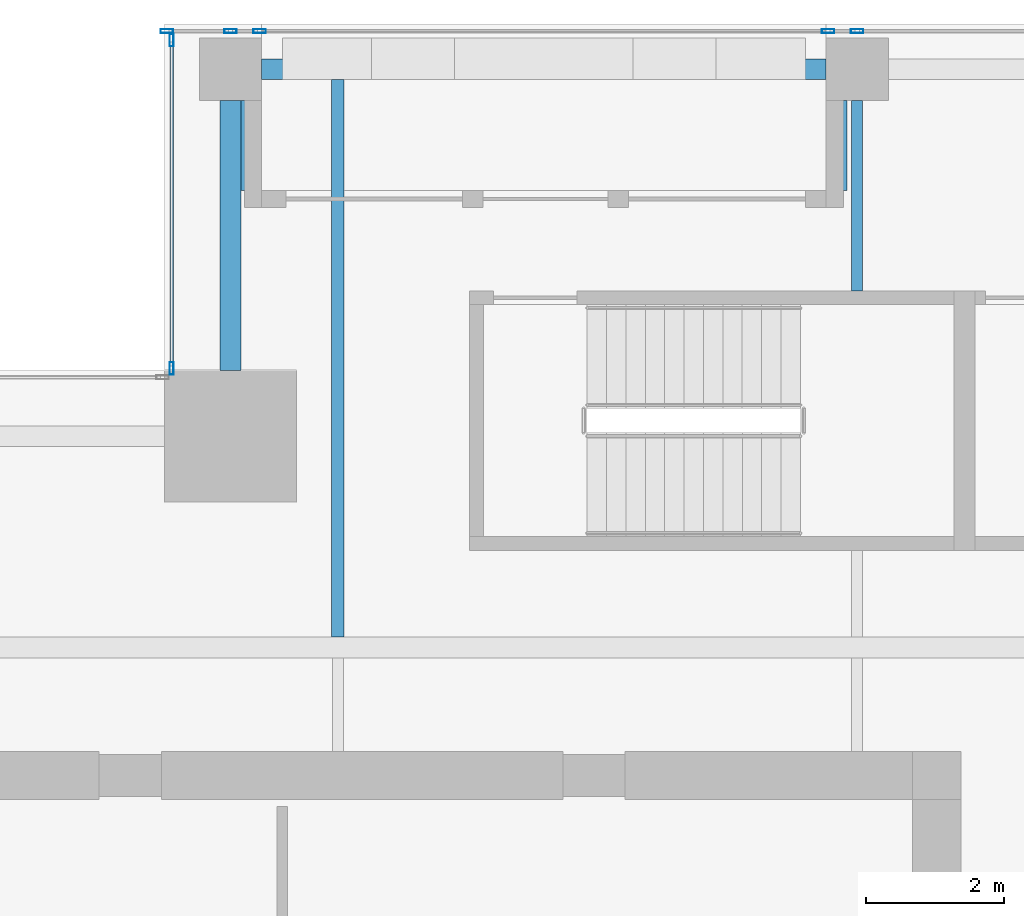
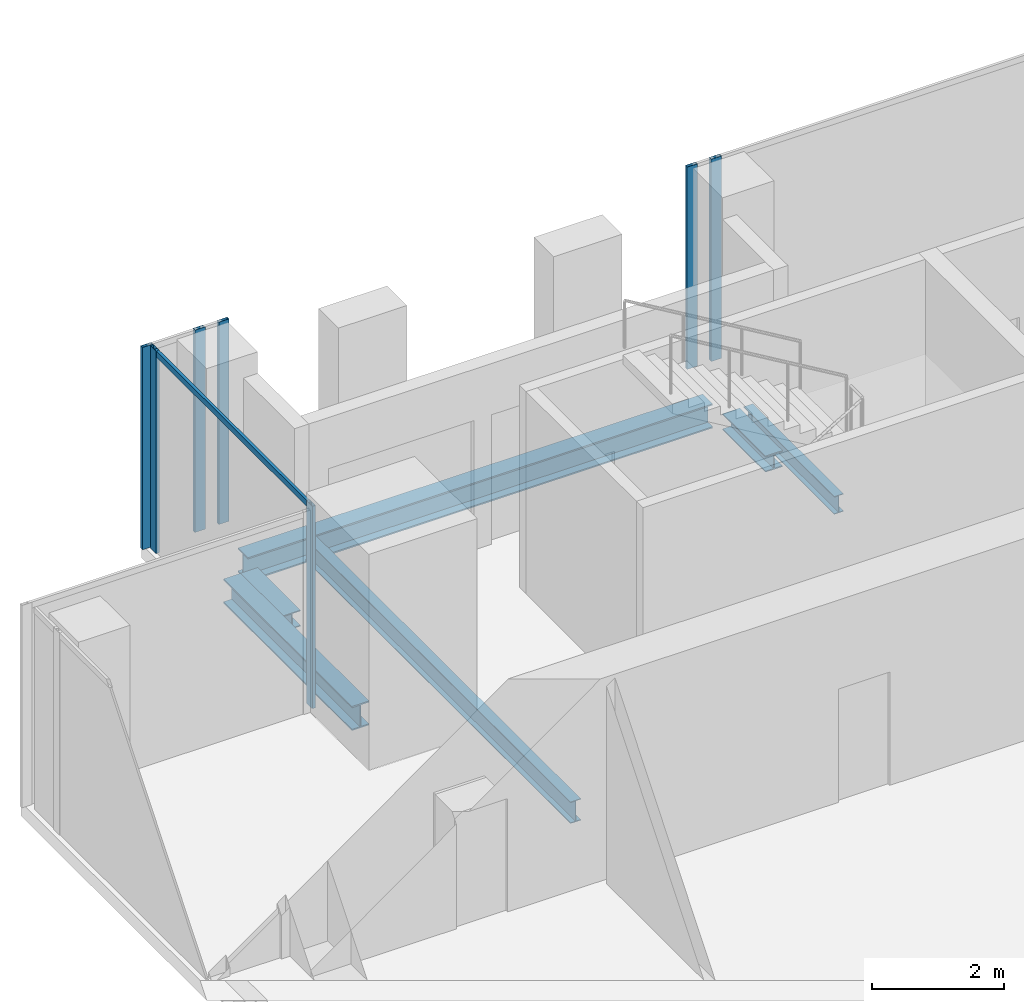
# One storey, part 18 of 35: 8 members, 6 beams, 3 elements without a shape of their own.
"""IFC4 building model written with IfcOpenShell, lengths in metres."""

from ifc_helpers import new_model, si_unit, direction, frame, origin, origin_2d, place, context, subcontext, project, spatial, hollow_rectangle, i_section, extrude, source, transform, mapped, material, material_profile, profile_set, type_object, element, aggregate, save


model = new_model("IFC4")

# Units and contexts
model_context = context("Model", 3, precision=1e-05, world=origin(), true_north=direction((0.0, 1.0)))
body_context = subcontext(model_context, "Body", "Model", "MODEL_VIEW")
ifc_project = project(units=[si_unit("LENGTHUNIT", "METRE"), si_unit("AREAUNIT", "SQUARE_METRE"), si_unit("VOLUMEUNIT", "CUBIC_METRE"), si_unit("PLANEANGLEUNIT", "RADIAN"), si_unit("MASSUNIT", "GRAM", prefix="KILO")], contexts=[model_context])

# Site, building, storey
site_placement = place(None, origin())
site = spatial("IfcSite", under=ifc_project, at=site_placement, CompositionType="ELEMENT")
building_placement = place(site_placement, origin())
building = spatial("IfcBuilding", under=site, at=building_placement, Name="Khomas Fold Tower", CompositionType="ELEMENT")
storey_placement = place(building_placement, frame((0.0, 0.0, 262.199951171875)))
storey = spatial("IfcBuildingStorey", under=building, at=storey_placement, Name="L59", CompositionType="ELEMENT", Elevation=262.199951171875)

# Beams
ifc_material_1 = material(Name="Steel S355", Category="steel")
ifc_material_profile_1 = material_profile(ifc_material_1, i_section(OverallWidth=0.159912109375, OverallDepth=0.330078125, WebThickness=0.007568359375, FlangeThickness=0.011474609375, at=origin_2d()), Name="IPE 330")
ifc_profile_set_1 = profile_set([ifc_material_profile_1], Name="Steel S355")
beam_type_1 = type_object("IfcBeamType", Name="IPE 330 beam JB1", PredefinedType="BEAM", material=ifc_profile_set_1)
shared_shape_1 = source(origin(), body_context, "Body", "SweptSolid", [
    extrude(i_section(OverallWidth=0.159912109375, OverallDepth=0.330078125, WebThickness=0.007568359375, FlangeThickness=0.011474609375, at=origin_2d()), origin(), (0.0, 0.0, 1.0), 2.75),
])
beam_1_placement = place(storey_placement, frame((19.5, 45.64990234375, -0.4150390625), z_axis=(0.0, 1.0, 0.0), x_axis=(-1.0, 0.0, 0.0)))
element("IfcBeam", 1, at=beam_1_placement, inside=storey, type_object=beam_type_1, Name="JB1", PredefinedType="BEAM", context=body_context, shape_type="MappedRepresentation", body=[
    mapped(shared_shape_1, transform((0.0, 0.0, 0.0))),
])
ifc_material_2 = material(Name="Steel S355", Category="steel")
ifc_material_profile_2 = material_profile(ifc_material_2, i_section(OverallWidth=0.300048828125, OverallDepth=0.449951171875, WebThickness=0.013916015625, FlangeThickness=0.02587890625, at=origin_2d()), Name="HE 450 B")
ifc_profile_set_2 = profile_set([ifc_material_profile_2], Name="Steel S355")
beam_type_2 = type_object("IfcBeamType", Name="HE 450 B spandrel SB4", PredefinedType="SPANDREL", material=ifc_profile_set_2)
shared_shape_2 = source(origin(), body_context, "Body", "SweptSolid", [
    extrude(i_section(OverallWidth=0.300048828125, OverallDepth=0.449951171875, WebThickness=0.013916015625, FlangeThickness=0.02587890625, at=origin_2d()), origin(), (0.0, 0.0, 1.0), 8.150146484375),
])
beam_2_placement = place(storey_placement, frame((10.89990234375, 48.85009765625, -0.474853515625), z_axis=(1.0, 0.0, 0.0), x_axis=(0.0, 1.0, 0.0)))
element("IfcBeam", 2, at=beam_2_placement, inside=storey, type_object=beam_type_2, Name="SB4", PredefinedType="SPANDREL", context=body_context, shape_type="MappedRepresentation", body=[
    mapped(shared_shape_2, transform((0.0, 0.0, 0.0))),
])
shared_shape_3 = source(origin(), body_context, "Body", "SweptSolid", [
    extrude(i_section(OverallWidth=0.300048828125, OverallDepth=0.449951171875, WebThickness=0.013916015625, FlangeThickness=0.02587890625, at=origin_2d()), origin(), (0.0, 0.0, 1.0), 3.89990234375),
])
beam_3_placement = place(storey_placement, frame((10.449951171875, 44.5, -0.474853515625), z_axis=(0.0, 1.0, 0.0), x_axis=(-1.0, 0.0, 0.0)))
element("IfcBeam", 3, at=beam_3_placement, inside=storey, type_object=beam_type_2, Name="SB4", PredefinedType="SPANDREL", context=body_context, shape_type="MappedRepresentation", body=[
    mapped(shared_shape_3, transform((0.0, 0.0, 0.0))),
])
ifc_material_3 = material(Name="Steel S355", Category="steel")
ifc_material_profile_3 = material_profile(ifc_material_3, i_section(OverallWidth=0.179931640625, OverallDepth=0.39990234375, WebThickness=0.008544921875, FlangeThickness=0.013427734375, at=origin_2d()), Name="IPE 400")
ifc_profile_set_3 = profile_set([ifc_material_profile_3], Name="Steel S355")
beam_type_3 = type_object("IfcBeamType", Name="IPE 400 beam JB3", PredefinedType="BEAM", material=ifc_profile_set_3)
shared_shape_4 = source(origin(), body_context, "Body", "SweptSolid", [
    extrude(i_section(OverallWidth=0.179931640625, OverallDepth=0.39990234375, WebThickness=0.008544921875, FlangeThickness=0.013427734375, at=origin_2d()), origin(), (0.0, 0.0, 1.0), 8.050048828125),
])
beam_4_placement = place(storey_placement, frame((12.0, 40.64990234375, -0.449951171875), z_axis=(0.0, 1.0, 0.0), x_axis=(-1.0, 0.0, 0.0)))
element("IfcBeam", 4, at=beam_4_placement, inside=storey, type_object=beam_type_3, Name="JB3", PredefinedType="BEAM", context=body_context, shape_type="MappedRepresentation", body=[
    mapped(shared_shape_4, transform((0.0, 0.0, 0.0))),
])
ifc_material_4 = material(Name="Steel S355", Category="steel")
ifc_material_profile_4 = material_profile(ifc_material_4, i_section(OverallWidth=0.300048828125, OverallDepth=0.300048828125, WebThickness=0.010986328125, FlangeThickness=0.01904296875, at=origin_2d()), Name="HE 300 B")
ifc_profile_set_4 = profile_set([ifc_material_profile_4], Name="Steel S355")
beam_type_4 = type_object("IfcBeamType", Name="HE 300 B beam BB1", PredefinedType="BEAM", material=ifc_profile_set_4)
shared_shape_5 = source(origin(), body_context, "Body", "SweptSolid", [
    extrude(i_section(OverallWidth=0.300048828125, OverallDepth=0.300048828125, WebThickness=0.010986328125, FlangeThickness=0.01904296875, at=origin_2d()), origin(), (0.0, 0.0, 1.0), 1.2998046875),
])
for number, where, z_axis, x_axis, name in (
    (5, (10.75, 47.10009765625, -0.39990234375), (0.0, 1.0, 0.0), (-1.0, 0.0, 0.0), "BB1"),
    (6, (19.199951171875, 47.10009765625, -0.39990234375), (0.0, 1.0, 0.0), (-1.0, 0.0, 0.0), "BB1"),
):
    element("IfcBeam", number, at=place(storey_placement, frame(where, z_axis=z_axis, x_axis=x_axis)), inside=storey, type_object=beam_type_4, Name=name, PredefinedType="BEAM", context=body_context, shape_type="MappedRepresentation", body=[
        mapped(shared_shape_5, transform((0.0, 0.0, 0.0))),
    ])

# Curtain wall, members
ifc_material_5 = material(Name="Aluminium framed double glazing", Category="aluminium")
curtain_wall_type = type_object("IfcCurtainWallType", Name="SK-Unitised clear-glass wall, office floors CW2", PredefinedType="NOTDEFINED", material=ifc_material_5)
curtain_wall_1_placement = place(storey_placement, origin())
curtain_wall_1 = element("IfcCurtainWall", 7, at=curtain_wall_1_placement, inside=storey, type_object=curtain_wall_type, Name="CW2 run L59 06-0", PredefinedType="NOTDEFINED")
ifc_material_6 = material(Name="Aluminium", Category="aluminium")
ifc_material_profile_5 = material_profile(ifc_material_6, hollow_rectangle(XDim=0.06005859375, YDim=0.179931640625, WallThickness=0.00390625, at=origin_2d()), Name="SK-Unitised clear-glass wall, office floors mullion CW2-M")
ifc_profile_set_5 = profile_set([ifc_material_profile_5], Name="Aluminium")
member_type_1 = type_object("IfcMemberType", Name="SK-Unitised clear-glass wall, office floors mullion CW2-M", PredefinedType="MULLION", material=ifc_profile_set_5)
shared_shape_6 = source(origin(), body_context, "Body", "SweptSolid", [
    extrude(hollow_rectangle(XDim=0.06005859375, YDim=0.179931640625, WallThickness=0.00390625, at=origin_2d()), origin(), (0.0, 0.0, 1.0), 3.75),
])
member_1_placement = place(storey_placement, frame((19.5, 49.39990234375, 0.0), z_axis=(0.0, 0.0, 1.0), x_axis=(0.0, -1.0, 0.0)))
member_1 = element("IfcMember", 8, at=member_1_placement, type_object=member_type_1, Name="CW2 mullion 5", PredefinedType="MULLION", context=body_context, shape_type="MappedRepresentation", body=[
    mapped(shared_shape_6, transform((0.0, 0.0, 0.0))),
])
member_2_placement = place(storey_placement, frame((19.080078125, 49.39990234375, 0.0), z_axis=(0.0, 0.0, 1.0), x_axis=(0.0, -1.0, 0.0)))
member_2 = element("IfcMember", 9, at=member_2_placement, type_object=member_type_1, Name="CW2 mullion 6", PredefinedType="MULLION", context=body_context, shape_type="MappedRepresentation", body=[
    mapped(shared_shape_6, transform((0.0, 0.0, 0.0))),
])
aggregate(curtain_wall_1, [member_1, member_2])

curtain_wall_2_placement = place(storey_placement, origin())
curtain_wall_2 = element("IfcCurtainWall", 10, at=curtain_wall_2_placement, inside=storey, type_object=curtain_wall_type, Name="CW2 run L59 06-1", PredefinedType="NOTDEFINED")
member_3_placement = place(storey_placement, frame((10.8701171875, 49.39990234375, 0.0), z_axis=(0.0, 0.0, 1.0), x_axis=(0.0, -1.0, 0.0)))
member_3 = element("IfcMember", 11, at=member_3_placement, type_object=member_type_1, Name="CW2 mullion 1", PredefinedType="MULLION", context=body_context, shape_type="MappedRepresentation", body=[
    mapped(shared_shape_6, transform((0.0, 0.0, 0.0))),
])
member_4_placement = place(storey_placement, frame((10.449951171875, 49.39990234375, 0.0), z_axis=(0.0, 0.0, 1.0), x_axis=(0.0, -1.0, 0.0)))
member_4 = element("IfcMember", 12, at=member_4_placement, type_object=member_type_1, Name="CW2 mullion 2", PredefinedType="MULLION", context=body_context, shape_type="MappedRepresentation", body=[
    mapped(shared_shape_6, transform((0.0, 0.0, 0.0))),
])
member_5_placement = place(storey_placement, frame((9.530029296875, 49.39990234375, 0.0), z_axis=(0.0, 0.0, 1.0), x_axis=(0.0, -1.0, 0.0)))
member_5 = element("IfcMember", 13, at=member_5_placement, type_object=member_type_1, Name="CW2 mullion 3", PredefinedType="MULLION", context=body_context, shape_type="MappedRepresentation", body=[
    mapped(shared_shape_6, transform((0.0, 0.0, 0.0))),
])
aggregate(curtain_wall_2, [member_3, member_4, member_5])

curtain_wall_3_placement = place(storey_placement, origin())
curtain_wall_3 = element("IfcCurtainWall", 14, at=curtain_wall_3_placement, inside=storey, type_object=curtain_wall_type, Name="CW2 corner return L59 07", PredefinedType="NOTDEFINED")
member_6_placement = place(storey_placement, frame((9.60009765625, 49.27001953125, 0.0), z_axis=(0.0, 0.0, 1.0), x_axis=(1.0, 0.0, 0.0)))
member_6 = element("IfcMember", 15, at=member_6_placement, type_object=member_type_1, Name="CW2 mullion 1", PredefinedType="MULLION", context=body_context, shape_type="MappedRepresentation", body=[
    mapped(shared_shape_6, transform((0.0, 0.0, 0.0))),
])
member_7_placement = place(storey_placement, frame((9.60009765625, 44.530029296875, 0.0), z_axis=(0.0, 0.0, 1.0), x_axis=(1.0, 0.0, 0.0)))
member_7 = element("IfcMember", 16, at=member_7_placement, type_object=member_type_1, Name="CW2 mullion 2", PredefinedType="MULLION", context=body_context, shape_type="MappedRepresentation", body=[
    mapped(shared_shape_6, transform((0.0, 0.0, 0.0))),
])
ifc_material_7 = material(Name="Aluminium", Category="aluminium")
ifc_material_profile_6 = material_profile(ifc_material_7, hollow_rectangle(XDim=0.050048828125, YDim=0.110107421875, WallThickness=0.00390625, at=origin_2d()), Name="SK-Unitised clear-glass wall, office floors transom CW2-T")
ifc_profile_set_6 = profile_set([ifc_material_profile_6], Name="Aluminium")
member_type_2 = type_object("IfcMemberType", Name="SK-Unitised clear-glass wall, office floors transom CW2-T", PredefinedType="USERDEFINED", material=ifc_profile_set_6)
shared_shape_7 = source(origin(), body_context, "Body", "SweptSolid", [
    extrude(hollow_rectangle(XDim=0.050048828125, YDim=0.110107421875, WallThickness=0.00390625, at=origin_2d()), origin(), (0.0, 0.0, 1.0), 4.679931640625),
])
member_8_placement = place(storey_placement, frame((9.60009765625, 49.239990234375, 3.695068359375), z_axis=(0.0, -1.0, 0.0), x_axis=(1.0, 0.0, 0.0)))
member_8 = element("IfcMember", 17, at=member_8_placement, type_object=member_type_2, Name="CW2 transom 1", ObjectType="TRANSOM", PredefinedType="USERDEFINED", context=body_context, shape_type="MappedRepresentation", body=[
    mapped(shared_shape_7, transform((0.0, 0.0, 0.0))),
])
aggregate(curtain_wall_3, [member_6, member_7, member_8])

save(model, "model.ifc")
